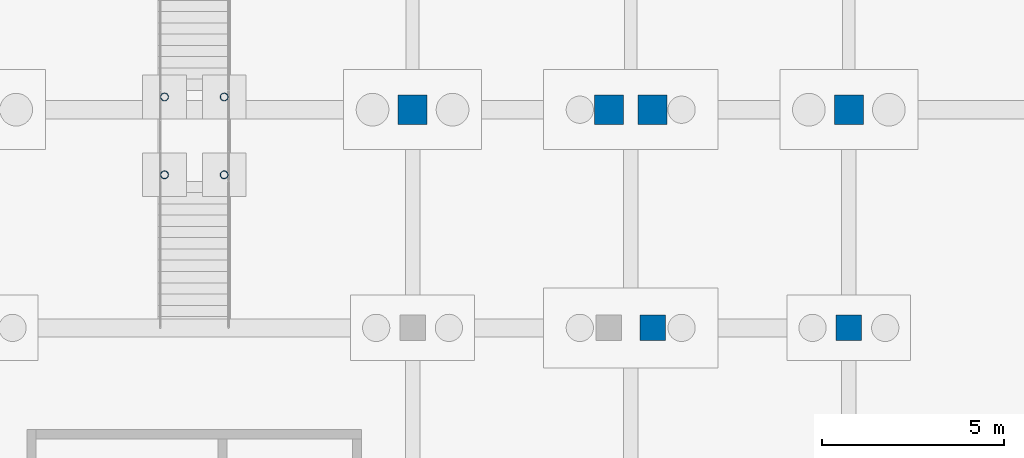
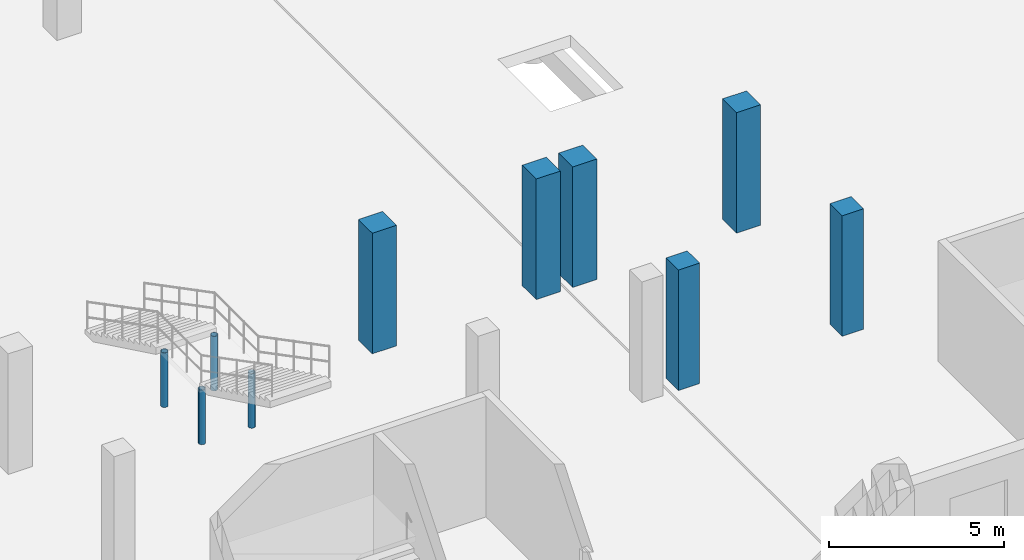
# One storey, part 31 of 77: 10 columns.
"""IFC4 building model written with IfcOpenShell, lengths in metres."""

from ifc_helpers import new_model, si_unit, direction, frame, origin, origin_2d, place, context, subcontext, project, spatial, rectangle, hollow_circle, extrude, material, material_profile, profile_set, type_object, element, save


model = new_model("IFC4")

# Units and contexts
model_context = context("Model", 3, precision=1e-05, world=origin(), true_north=direction((0.0, 1.0)))
body_context = subcontext(model_context, "Body", "Model", "MODEL_VIEW")
ifc_project = project(units=[si_unit("LENGTHUNIT", "METRE"), si_unit("AREAUNIT", "SQUARE_METRE"), si_unit("VOLUMEUNIT", "CUBIC_METRE"), si_unit("PLANEANGLEUNIT", "RADIAN"), si_unit("MASSUNIT", "GRAM", prefix="KILO")], contexts=[model_context])

# Site, building, storey
site_placement = place(None, origin())
site = spatial("IfcSite", under=ifc_project, at=site_placement, CompositionType="ELEMENT")
building_placement = place(site_placement, origin())
building = spatial("IfcBuilding", under=site, at=building_placement, Name="Zilviju Railside Exhibition Hall", CompositionType="ELEMENT")
storey_placement = place(building_placement, origin())
storey = spatial("IfcBuildingStorey", under=building, at=storey_placement, Name="L01", CompositionType="ELEMENT", Elevation=0.0)

# Columns
ifc_material_1 = material(Name="Concrete C35/45", Category="concrete")
ifc_material_profile_1 = material_profile(ifc_material_1, rectangle(XDim=0.699951171875, YDim=0.699951171875, at=origin_2d()), Name="RC COL 700x700")
ifc_profile_set_1 = profile_set([ifc_material_profile_1], Name="Concrete C35/45")
column_type_1 = type_object("IfcColumnType", Name="COL-RC-700", PredefinedType="COLUMN", material=ifc_profile_set_1)
for number, where, z_axis, x_axis, name in (
    (1, (174.60009765625, 96.0, 0.0), (0.0, 0.0, 1.0), (1.0, 0.0, 0.0), "Structural Column L01 (174.6, 96.0)"),
    (2, (180.0, 96.0, 0.0), (0.0, 0.0, 1.0), (1.0, 0.0, 0.0), "Structural Column L01 (180.0, 96.0)"),
):
    element("IfcColumn", number, at=place(storey_placement, frame(where, z_axis=z_axis, x_axis=x_axis)), inside=storey, type_object=column_type_1, Name=name, PredefinedType="COLUMN", context=body_context, shape_type="SweptSolid", body=[
        extrude(rectangle(XDim=0.699951171875, YDim=0.699951171875, at=origin_2d()), origin(), (0.0, 0.0, 1.0), 4.199951171875),
    ])
ifc_material_2 = material(Name="Concrete C40/50", Category="concrete")
ifc_material_profile_2 = material_profile(ifc_material_2, rectangle(XDim=0.800048828125, YDim=0.800048828125, at=origin_2d()), Name="RC COL 800x800")
ifc_profile_set_2 = profile_set([ifc_material_profile_2], Name="Concrete C40/50")
column_type_2 = type_object("IfcColumnType", Name="COL-RC-800", PredefinedType="COLUMN", material=ifc_profile_set_2)
for number, where, z_axis, x_axis, name in (
    (3, (168.0, 102.0, 0.0), (0.0, 0.0, 1.0), (1.0, 0.0, 0.0), "Structural Column L01 (168.0, 102.0)"),
    (4, (173.39990234375, 102.0, 0.0), (0.0, 0.0, 1.0), (1.0, 0.0, 0.0), "Structural Column L01 (173.4, 102.0)"),
    (5, (174.60009765625, 102.0, 0.0), (0.0, 0.0, 1.0), (1.0, 0.0, 0.0), "Structural Column L01 (174.6, 102.0)"),
    (6, (180.0, 102.0, 0.0), (0.0, 0.0, 1.0), (1.0, 0.0, 0.0), "Structural Column L01 (180.0, 102.0)"),
):
    element("IfcColumn", number, at=place(storey_placement, frame(where, z_axis=z_axis, x_axis=x_axis)), inside=storey, type_object=column_type_2, Name=name, PredefinedType="COLUMN", context=body_context, shape_type="SweptSolid", body=[
        extrude(rectangle(XDim=0.800048828125, YDim=0.800048828125, at=origin_2d()), origin(), (0.0, 0.0, 1.0), 4.199951171875),
    ])
ifc_material_3 = material(Name="Steel S355ML", Category="steel")
ifc_material_profile_3 = material_profile(ifc_material_3, hollow_circle(Radius=0.109619140625, WallThickness=0.010009765625, at=origin_2d()), Name="CHS 219.1x10.0")
ifc_profile_set_3 = profile_set([ifc_material_profile_3], Name="Steel S355ML")
column_type_3 = type_object("IfcColumnType", Name="COL-ST-CHS219", PredefinedType="COLUMN", material=ifc_profile_set_3)
for number, where, z_axis, x_axis, name in (
    (7, (161.179931640625, 100.2099609375, 0.0), (0.0, 0.0, 1.0), (1.0, 0.0, 0.0), "Feature Stair ST23 Landing Column 1"),
    (8, (162.820068359375, 100.2099609375, 0.0), (0.0, 0.0, 1.0), (1.0, 0.0, 0.0), "Feature Stair ST23 Landing Column 2"),
    (9, (161.179931640625, 102.35009765625, 0.0), (0.0, 0.0, 1.0), (1.0, 0.0, 0.0), "Feature Stair ST23 Landing Column 3"),
    (10, (162.820068359375, 102.35009765625, 0.0), (0.0, 0.0, 1.0), (1.0, 0.0, 0.0), "Feature Stair ST23 Landing Column 4"),
):
    element("IfcColumn", number, at=place(storey_placement, frame(where, z_axis=z_axis, x_axis=x_axis)), inside=storey, type_object=column_type_3, Name=name, PredefinedType="COLUMN", context=body_context, shape_type="SweptSolid", body=[
        extrude(hollow_circle(Radius=0.109619140625, WallThickness=0.010009765625, at=origin_2d()), origin(), (0.0, 0.0, 1.0), 1.89990234375),
    ])

save(model, "model.ifc")
